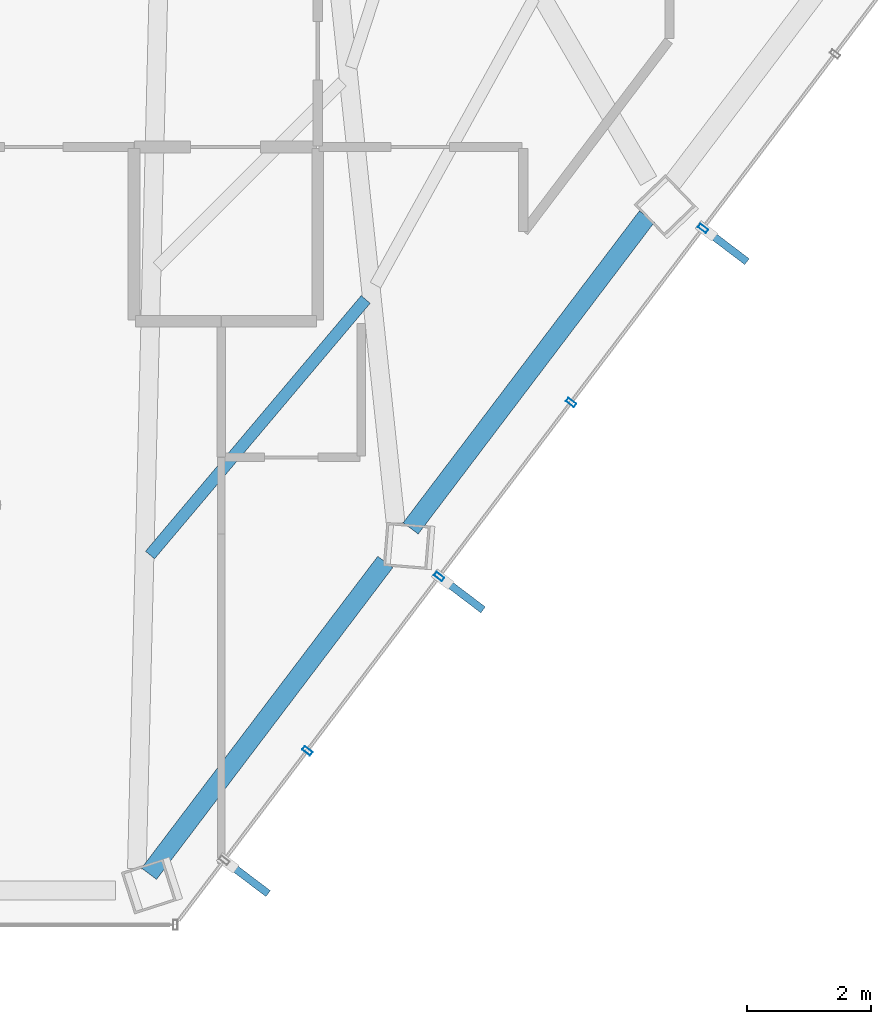
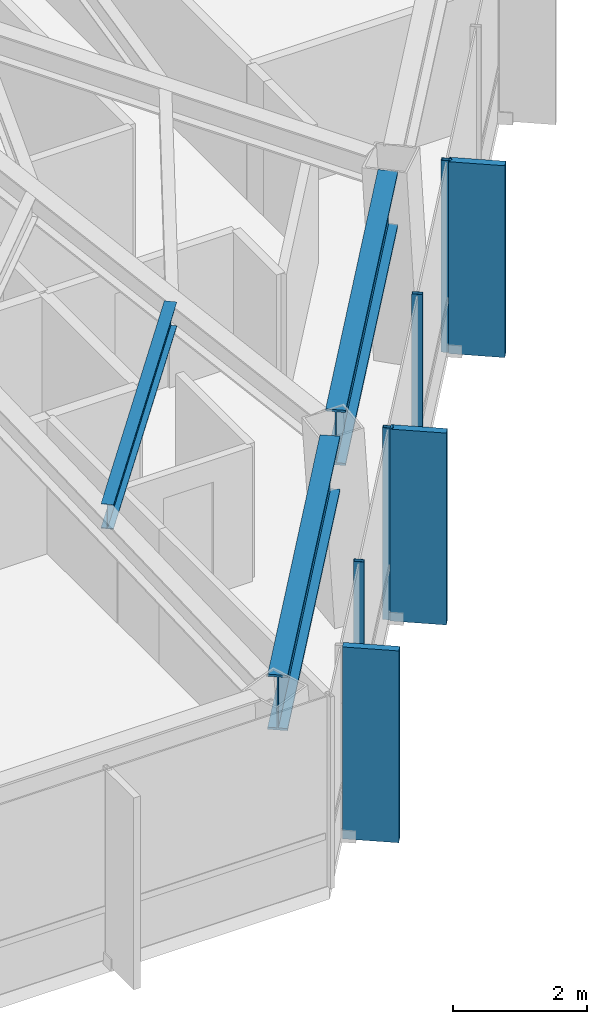
# One storey, part 16 of 27: 7 members, 3 beams, 1 element without a shape of its own.
"""IFC4 building model written with IfcOpenShell, lengths in metres."""

from ifc_helpers import new_model, si_unit, direction, frame, origin, origin_2d, place, context, subcontext, project, spatial, rectangle, hollow_rectangle, i_section, extrude, material, layer, layer_set, material_profile, profile_set, type_object, element, aggregate, save


model = new_model("IFC4")

# Units and contexts
model_context = context("Model", 3, precision=1e-05, world=origin(), true_north=direction((0.0, 1.0)))
body_context = subcontext(model_context, "Body", "Model", "MODEL_VIEW")
ifc_project = project(units=[si_unit("LENGTHUNIT", "METRE"), si_unit("AREAUNIT", "SQUARE_METRE"), si_unit("VOLUMEUNIT", "CUBIC_METRE"), si_unit("PLANEANGLEUNIT", "RADIAN"), si_unit("MASSUNIT", "GRAM", prefix="KILO")], contexts=[model_context])

# Site, building, storey
site_placement = place(None, origin())
site = spatial("IfcSite", under=ifc_project, at=site_placement, CompositionType="ELEMENT")
building_placement = place(site_placement, origin())
building = spatial("IfcBuilding", under=site, at=building_placement, Name="Zarrinselat Tower", CompositionType="ELEMENT")
storey_placement = place(building_placement, frame((0.0, 0.0, 172.0400390625)))
storey = spatial("IfcBuildingStorey", under=building, at=storey_placement, Name="L42", CompositionType="ELEMENT", Elevation=172.0400390625)

# Beams
ifc_material_1 = material(Name="Steel S460M", Category="steel")
ifc_material_profile_1 = material_profile(ifc_material_1, i_section(OverallWidth=0.302001953125, OverallDepth=1.008056640625, WebThickness=0.02099609375, FlangeThickness=0.0400390625, at=origin_2d()), Name="HEM 1000")
ifc_profile_set_1 = profile_set([ifc_material_profile_1], Name="Steel S460M")
beam_type_1 = type_object("IfcBeamType", Name="BM-HEM1000", PredefinedType="BEAM", material=ifc_profile_set_1)
beam_1_placement = place(storey_placement, frame((45.639404296875, 18.474609375, 2.995849609375), z_axis=(0.603871149651, 0.797081949751, 0.0), x_axis=(-0.797081949751, 0.603871149651, 0.0)))
element("IfcBeam", 1, at=beam_1_placement, inside=storey, type_object=beam_type_1, Name="L42 Perimeter Spandrel Girder SP11", PredefinedType="BEAM", context=body_context, shape_type="SweptSolid", body=[
    extrude(i_section(OverallWidth=0.302001953125, OverallDepth=1.008056640625, WebThickness=0.02099609375, FlangeThickness=0.0400390625, at=origin_2d()), origin(), (0.0, 0.0, 1.0), 6.28515625),
])
beam_2_placement = place(storey_placement, frame((49.843017578125, 24.023193359375, 2.995849609375), z_axis=(0.603840485401, 0.79710518013, 0.0), x_axis=(-0.79710518013, 0.603840485401, 0.0)))
element("IfcBeam", 2, at=beam_2_placement, inside=storey, type_object=beam_type_1, Name="L42 Perimeter Spandrel Girder SP12", PredefinedType="BEAM", context=body_context, shape_type="SweptSolid", body=[
    extrude(i_section(OverallWidth=0.302001953125, OverallDepth=1.008056640625, WebThickness=0.02099609375, FlangeThickness=0.0400390625, at=origin_2d()), origin(), (0.0, 0.0, 1.0), 6.28466796875),
])
ifc_material_2 = material(Name="Steel S355J2", Category="steel")
ifc_material_profile_2 = material_profile(ifc_material_2, i_section(OverallWidth=0.18994140625, OverallDepth=0.449951171875, WebThickness=0.009521484375, FlangeThickness=0.0146484375, at=origin_2d()), Name="IPE 450")
ifc_profile_set_2 = profile_set([ifc_material_profile_2], Name="Steel S355J2")
beam_type_2 = type_object("IfcBeamType", Name="BM-IPE450", PredefinedType="JOIST", material=ifc_profile_set_2)
beam_3_placement = place(storey_placement, frame((45.6552734375, 23.59521484375, 3.27490234375), z_axis=(0.644870109689, 0.764292183416, 0.0), x_axis=(-0.764292183416, 0.644870109689, 0.0)))
element("IfcBeam", 3, at=beam_3_placement, inside=storey, type_object=beam_type_2, Name="L42 Composite Floor Joist 3-1", PredefinedType="JOIST", context=body_context, shape_type="SweptSolid", body=[
    extrude(i_section(OverallWidth=0.18994140625, OverallDepth=0.449951171875, WebThickness=0.009521484375, FlangeThickness=0.0146484375, at=origin_2d()), origin(), (0.0, 0.0, 1.0), 5.37255859375),
])

# Curtain wall, members
ifc_material_3 = material(Name="Extruded Aluminium Alloy EN AW-6063 T6", Category="aluminium")
ifc_layer = layer(ifc_material_3, 0.175048828125)
ifc_layer_set = layer_set([ifc_layer], Name="Extruded Aluminium Alloy EN AW-6063 T6")
curtain_wall_type = type_object("IfcCurtainWallType", Name="CWS-HTL", PredefinedType="NOTDEFINED", material=ifc_layer_set)
curtain_wall_placement = place(storey_placement, origin())
curtain_wall = element("IfcCurtainWall", 4, at=curtain_wall_placement, inside=storey, type_object=curtain_wall_type, Name="L42 Unitised Curtain Wall CW-L42-E05", PredefinedType="NOTDEFINED")
ifc_material_4 = material(Name="Extruded Aluminium Alloy EN AW-6063 T6", Category="aluminium")
ifc_material_profile_3 = material_profile(ifc_material_4, hollow_rectangle(XDim=0.070068359375, YDim=0.159912109375, WallThickness=0.00390625, at=origin_2d()), Name="RHS 160x70x4")
ifc_profile_set_3 = profile_set([ifc_material_profile_3], Name="Extruded Aluminium Alloy EN AW-6063 T6")
member_type_1 = type_object("IfcMemberType", Name="MEM-CW-MUL2", PredefinedType="MULLION", material=ifc_profile_set_3)
member_1_placement = place(storey_placement, frame((48.181884765625, 20.450927734375, 0.0), z_axis=(0.0, 0.0, 1.0), x_axis=(0.603858853713, 0.797091265033, 0.0)))
member_1 = element("IfcMember", 5, at=member_1_placement, type_object=member_type_1, Name="CW-L42-E05 Mullion 2", PredefinedType="MULLION", context=body_context, shape_type="SweptSolid", body=[
    extrude(hollow_rectangle(XDim=0.070068359375, YDim=0.159912109375, WallThickness=0.00390625, at=origin_2d()), origin(), (0.0, 0.0, 1.0), 3.5),
])
member_2_placement = place(storey_placement, frame((50.301025390625, 23.248291015625, 0.0), z_axis=(0.0, 0.0, 1.0), x_axis=(0.603858853713, 0.797091265033, 0.0)))
member_2 = element("IfcMember", 6, at=member_2_placement, type_object=member_type_1, Name="CW-L42-E05 Mullion 3", PredefinedType="MULLION", context=body_context, shape_type="SweptSolid", body=[
    extrude(hollow_rectangle(XDim=0.070068359375, YDim=0.159912109375, WallThickness=0.00390625, at=origin_2d()), origin(), (0.0, 0.0, 1.0), 3.5),
])
member_3_placement = place(storey_placement, frame((52.42041015625, 26.0458984375, 0.0), z_axis=(0.0, 0.0, 1.0), x_axis=(0.603858853713, 0.797091265033, 0.0)))
member_3 = element("IfcMember", 7, at=member_3_placement, type_object=member_type_1, Name="CW-L42-E05 Mullion 4", PredefinedType="MULLION", context=body_context, shape_type="SweptSolid", body=[
    extrude(hollow_rectangle(XDim=0.070068359375, YDim=0.159912109375, WallThickness=0.00390625, at=origin_2d()), origin(), (0.0, 0.0, 1.0), 3.5),
])
member_4_placement = place(storey_placement, frame((54.539794921875, 28.843505859375, 0.0), z_axis=(0.0, 0.0, 1.0), x_axis=(0.603858853713, 0.797091265033, 0.0)))
member_4 = element("IfcMember", 8, at=member_4_placement, type_object=member_type_1, Name="CW-L42-E05 Mullion 5", PredefinedType="MULLION", context=body_context, shape_type="SweptSolid", body=[
    extrude(hollow_rectangle(XDim=0.070068359375, YDim=0.159912109375, WallThickness=0.00390625, at=origin_2d()), origin(), (0.0, 0.0, 1.0), 3.5),
])
ifc_material_5 = material(Name="Honed Cream Travertine Stone", Category="masonry")
ifc_material_profile_4 = material_profile(ifc_material_5, rectangle(XDim=0.1201171875, YDim=0.85009765625, at=origin_2d()), Name="FIN 850x120")
ifc_profile_set_4 = profile_set([ifc_material_profile_4], Name="Honed Cream Travertine Stone")
member_type_2 = type_object("IfcMemberType", Name="MEM-STONE-FIN", PredefinedType="USERDEFINED", material=ifc_profile_set_4)
member_5_placement = place(storey_placement, frame((47.214599609375, 18.412353515625, 0.0), z_axis=(0.0, 0.0, 1.0), x_axis=(-0.603858853713, -0.797091265033, 0.0)))
member_5 = element("IfcMember", 9, at=member_5_placement, type_object=member_type_2, Name="L42 Stone Shading Fin CW-L42-E05-01", ObjectType="FIN", PredefinedType="USERDEFINED", context=body_context, shape_type="SweptSolid", body=[
    extrude(rectangle(XDim=0.1201171875, YDim=0.85009765625, at=origin_2d()), origin(), (0.0, 0.0, 1.0), 3.5),
])
member_6_placement = place(storey_placement, frame((50.667724609375, 22.970703125, 0.0), z_axis=(0.0, 0.0, 1.0), x_axis=(-0.603858853713, -0.797091265033, 0.0)))
member_6 = element("IfcMember", 10, at=member_6_placement, type_object=member_type_2, Name="L42 Stone Shading Fin CW-L42-E05-03", ObjectType="FIN", PredefinedType="USERDEFINED", context=body_context, shape_type="SweptSolid", body=[
    extrude(rectangle(XDim=0.1201171875, YDim=0.85009765625, at=origin_2d()), origin(), (0.0, 0.0, 1.0), 3.5),
])
member_7_placement = place(storey_placement, frame((54.906494140625, 28.565673828125, 0.0), z_axis=(0.0, 0.0, 1.0), x_axis=(-0.603858853713, -0.797091265033, 0.0)))
member_7 = element("IfcMember", 11, at=member_7_placement, type_object=member_type_2, Name="L42 Stone Shading Fin CW-L42-E05-05", ObjectType="FIN", PredefinedType="USERDEFINED", context=body_context, shape_type="SweptSolid", body=[
    extrude(rectangle(XDim=0.1201171875, YDim=0.85009765625, at=origin_2d()), origin(), (0.0, 0.0, 1.0), 3.5),
])
aggregate(curtain_wall, [member_5, member_1, member_2, member_6, member_3, member_4, member_7])

save(model, "model.ifc")
